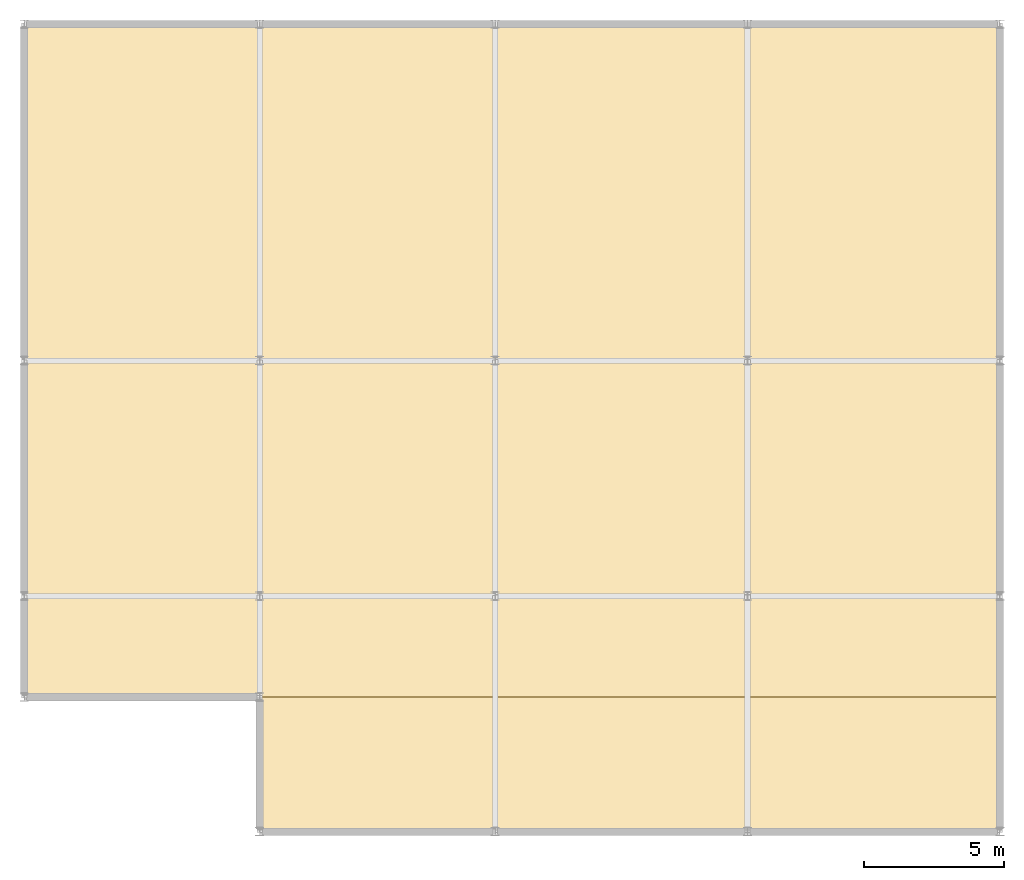
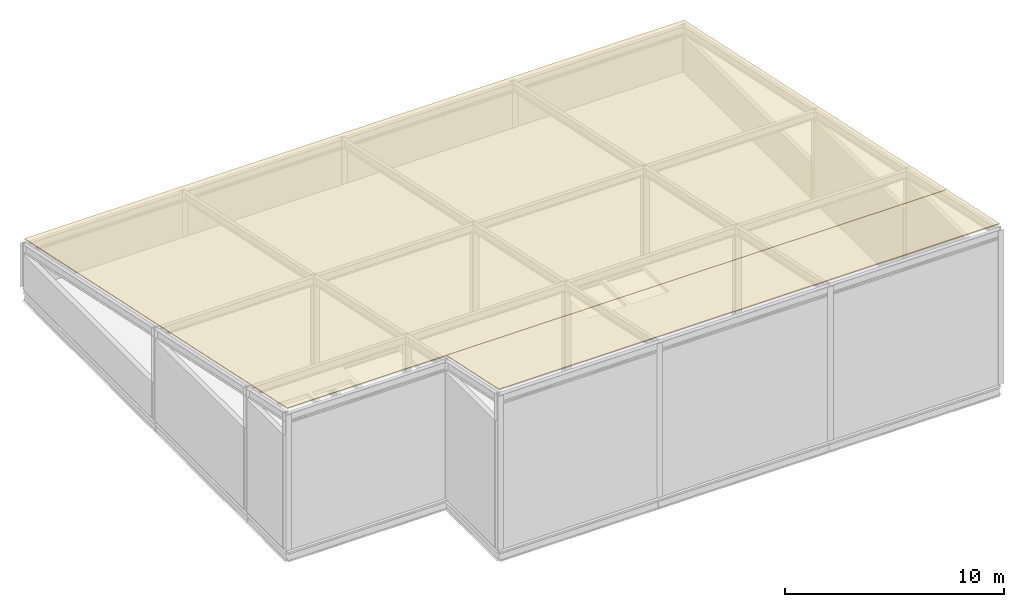
# One storey, part 5 of 5: 2 coverings.
"""IFC4 building model written with IfcOpenShell, lengths in metres."""

from ifc_helpers import new_model, si_unit, direction, frame, origin, place, context, subcontext, project, spatial, polyline, outline, extrude, material, layer, layer_set, type_object, element, save


model = new_model("IFC4")

# Units and contexts
model_context = context("Model", 3, precision=1e-05, world=origin(), true_north=direction((0.0, 1.0)))
body_context = subcontext(model_context, "Body", "Model", "MODEL_VIEW")
ifc_project = project(units=[si_unit("LENGTHUNIT", "METRE"), si_unit("AREAUNIT", "SQUARE_METRE"), si_unit("VOLUMEUNIT", "CUBIC_METRE"), si_unit("PLANEANGLEUNIT", "RADIAN"), si_unit("MASSUNIT", "GRAM", prefix="KILO")], contexts=[model_context])

# Site, building, storey
site_placement = place(None, origin())
site = spatial("IfcSite", under=ifc_project, at=site_placement, CompositionType="ELEMENT")
building_placement = place(site_placement, origin())
building = spatial("IfcBuilding", under=site, at=building_placement, Name="Yukiwa Park Conservatory and Herbarium", CompositionType="ELEMENT")
storey_placement = place(building_placement, frame((0.0, 0.0, 65.39990234375)))
storey = spatial("IfcBuildingStorey", under=building, at=storey_placement, Name="RF", CompositionType="ELEMENT", Elevation=65.39990234375)

# Coverings
ifc_material = material(Name="Roofing Membrane and PIR Insulation")
ifc_layer = layer(ifc_material, 0.0400390625)
ifc_layer_set = layer_set([ifc_layer], Name="Roofing Membrane and PIR Insulation")
covering_type = type_object("IfcCoveringType", Name="COV-ROOF-MEMBRANE", PredefinedType="ROOFING", material=ifc_layer_set)
covering_1_placement = place(storey_placement, frame((141.60009765625, 86.39990234375, 8.877685546875), z_axis=(0.0, 0.2079081418, 0.978148355094), x_axis=(1.0, 0.0, 0.0)))
element("IfcCovering", 1, at=covering_1_placement, inside=storey, type_object=covering_type, Name="Tower Crown South Wing insulated standing-seam roof covering", PredefinedType="ROOFING", context=body_context, shape_type="SweptSolid", body=[
    extrude(outline(polyline([(0.0, 0.0), (26.39990234375, 0.0), (26.39990234375, 4.907280989767352), (0.0, 4.907280989767352), (0.0, 0.0)])), origin(), (0.0, 0.0, -1.0), 0.0400390625),
])
covering_2_placement = place(storey_placement, frame((133.199951171875, 91.199951171875, 7.857421875), z_axis=(0.0, 0.20791016533, 0.978147924985), x_axis=(1.0, 0.0, 0.0)))
element("IfcCovering", 2, at=covering_2_placement, inside=storey, type_object=covering_type, Name="Tower Crown Main insulated standing-seam roof covering", PredefinedType="ROOFING", context=body_context, shape_type="SweptSolid", body=[
    extrude(outline(polyline([(0.0, 0.0), (34.800048828125, 0.0), (34.800048828125, 24.53616614313851), (0.0, 24.53616614313851), (0.0, 0.0)])), origin(), (0.0, 0.0, -1.0), 0.0400390625),
])

save(model, "model.ifc")
